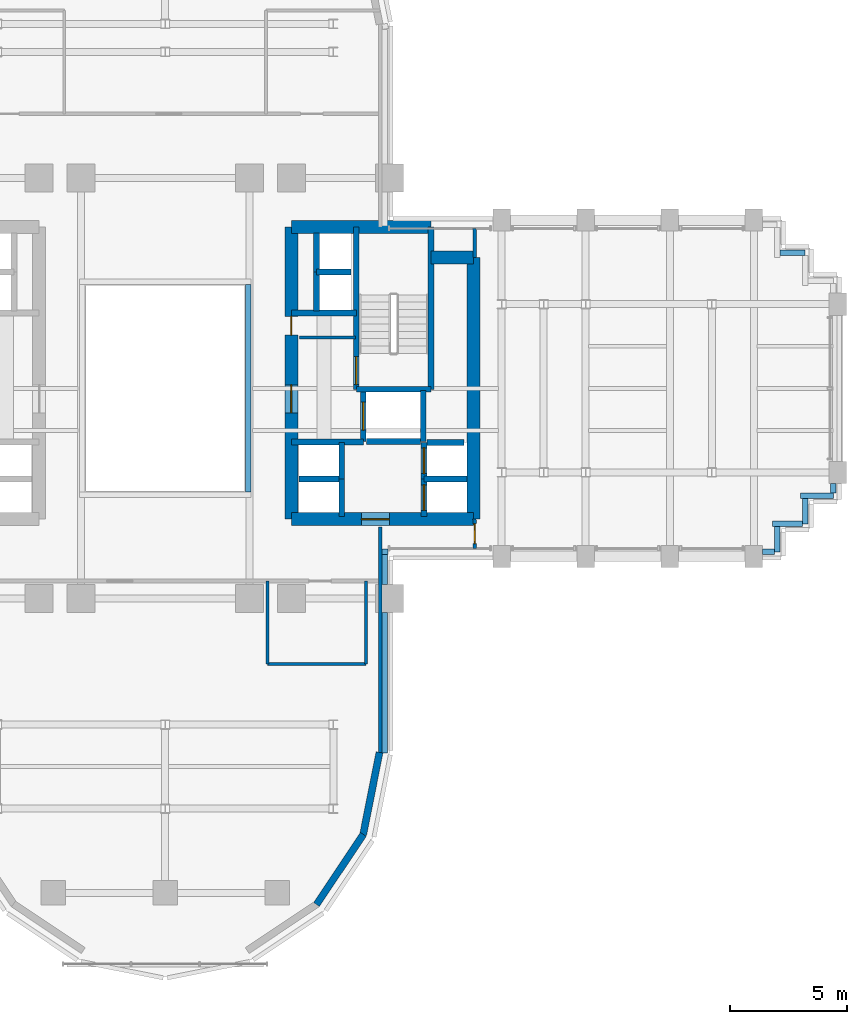
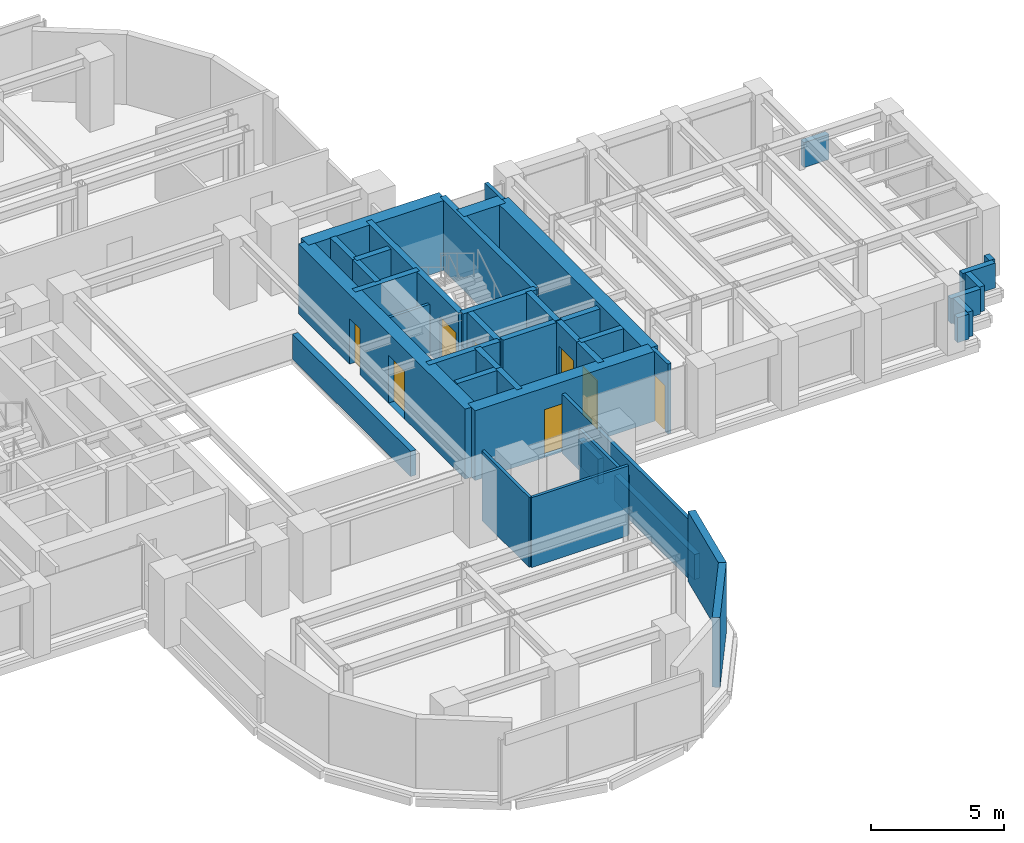
# One storey, part 11 of 16: 43 walls, 8 doors, 8 openings.
"""IFC4 building model written with IfcOpenShell, lengths in metres."""

from ifc_helpers import new_model, si_unit, direction, frame, frame_2d, origin, place, context, subcontext, project, spatial, rectangle, extrude, source, transform, mapped, material, layer, layer_set, type_object, element, fill, save


model = new_model("IFC4")

# Units and contexts
model_context = context("Model", 3, precision=1e-05, world=origin(), true_north=direction((0.0, 1.0)))
body_context = subcontext(model_context, "Body", "Model", "MODEL_VIEW")
ifc_project = project(units=[si_unit("LENGTHUNIT", "METRE"), si_unit("AREAUNIT", "SQUARE_METRE"), si_unit("VOLUMEUNIT", "CUBIC_METRE"), si_unit("PLANEANGLEUNIT", "RADIAN"), si_unit("MASSUNIT", "GRAM", prefix="KILO")], contexts=[model_context])

# Site, building, storey
site_placement = place(None, origin())
site = spatial("IfcSite", under=ifc_project, at=site_placement, CompositionType="ELEMENT")
building_placement = place(site_placement, origin())
building = spatial("IfcBuilding", under=site, at=building_placement, Name="Keilestroom Media Tower", CompositionType="ELEMENT")
storey_placement = place(building_placement, frame((0.0, 0.0, 68.0)))
storey = spatial("IfcBuildingStorey", under=building, at=storey_placement, Name="L17", CompositionType="ELEMENT", Elevation=68.0)

# Walls
ifc_material_1 = material(Name="Precast concrete C40/50", Category="concrete")
ifc_layer_1 = layer(ifc_material_1, 0.300048828125)
ifc_layer_set_1 = layer_set([ifc_layer_1], Name="Precast concrete C40/50")
wall_type_1 = type_object("IfcWallType", Name="Exterior-Masonry-Spandrel-Wall-300", PredefinedType="SOLIDWALL", material=ifc_layer_set_1)
for number, where, z_axis, x_axis, name in (
    (1, (6.47705078125, -22.097900390625, 0.0), (0.0, 0.0, 1.0), (0.555574187116, 0.831466970246, 0.0), "L17 Lobe Facet Precast Frame Wall 11"),
    (2, (8.470703125, -19.12451171875, 0.0), (0.0, 0.0, 1.0), (0.195114232679, 0.980780523974, 0.0), "L17 Lobe Facet Precast Frame Wall 12"),
):
    element("IfcWall", number, at=place(storey_placement, frame(where, z_axis=z_axis, x_axis=x_axis)), inside=storey, type_object=wall_type_1, Name=name, PredefinedType="SOLIDWALL", context=body_context, shape_type="SweptSolid", body=[
        extrude(rectangle(XDim=3.608642578125, YDim=0.300048828125, at=frame_2d((1.80419921875, 0.0))), origin(), (0.0, 0.0, 1.0), 3.199951171875),
    ])
ifc_material_2 = material(Name="Gypsum Plasterboard & Steel Stud", Category="steel")
ifc_layer_2 = layer(ifc_material_2, 0.1201171875)
ifc_layer_set_2 = layer_set([ifc_layer_2], Name="Gypsum Plasterboard & Steel Stud")
wall_type_2 = type_object("IfcWallType", Name="Interior-Partition-Wall-120", PredefinedType="PARTITIONING", material=ifc_layer_set_2)
wall_1_placement = place(storey_placement, frame((5.75, 2.179931640625, 0.0), z_axis=(0.0, 0.0, 1.0), x_axis=(1.0, 0.0, 0.0)))
element("IfcWall", 3, at=wall_1_placement, inside=storey, type_object=wall_type_2, Name="L17 Interior Wall WP-L17-CIE-S", PredefinedType="PARTITIONING", context=body_context, shape_type="SweptSolid", body=[
    extrude(rectangle(XDim=2.389892578125, YDim=0.1201171875, at=frame_2d((1.19482421875, 0.0))), origin(), (0.0, 0.0, 1.0), 2.300048828125),
])
wall_2_placement = place(storey_placement, frame((4.3798828125, -11.800048828125, 0.0), z_axis=(0.0, 0.0, 1.0), x_axis=(1.0, 0.0, 0.0)))
element("IfcWall", 4, at=wall_2_placement, inside=storey, type_object=wall_type_2, Name="L17 Interior Wall WP-L17-SL-WC-S", PredefinedType="PARTITIONING", context=body_context, shape_type="SweptSolid", body=[
    extrude(rectangle(XDim=4.22021484375, YDim=0.1201171875, at=frame_2d((2.110107421875, 0.0))), origin(), (0.0, 0.0, 1.0), 3.199951171875),
])
wall_3_placement = place(storey_placement, frame((4.3798828125, -11.800048828125, 0.0), z_axis=(0.0, 0.0, 1.0), x_axis=(0.0, 1.0, 0.0)))
element("IfcWall", 5, at=wall_3_placement, inside=storey, type_object=wall_type_2, Name="L17 Interior Wall WP-L17-SL-WC-W", PredefinedType="PARTITIONING", context=body_context, shape_type="SweptSolid", body=[
    extrude(rectangle(XDim=3.550048828125, YDim=0.1201171875, at=frame_2d((1.77490234375, 0.0))), origin(), (0.0, 0.0, 1.0), 3.199951171875),
])
wall_4_placement = place(storey_placement, frame((8.60009765625, -11.800048828125, 0.0), z_axis=(0.0, 0.0, 1.0), x_axis=(0.0, 1.0, 0.0)))
element("IfcWall", 6, at=wall_4_placement, inside=storey, type_object=wall_type_2, Name="L17 Interior Wall WP-L17-SL-WC-E", PredefinedType="PARTITIONING", context=body_context, shape_type="SweptSolid", body=[
    extrude(rectangle(XDim=3.550048828125, YDim=0.1201171875, at=frame_2d((1.77490234375, 0.0))), origin(), (0.0, 0.0, 1.0), 2.7099609375),
])
ifc_layer_3 = layer(ifc_material_2, 0.14990234375)
ifc_layer_set_3 = layer_set([ifc_layer_3], Name="Gypsum Plasterboard & Steel Stud")
wall_type_3 = type_object("IfcWallType", Name="Interior-Partition-Wall-150", PredefinedType="PARTITIONING", material=ifc_layer_set_3)
wall_5_placement = place(storey_placement, frame((9.199951171875, -15.679931640625, 0.0), z_axis=(0.0, 0.0, 1.0), x_axis=(0.0, 1.0, 0.0)))
element("IfcWall", 7, at=wall_5_placement, inside=storey, type_object=wall_type_3, Name="L17 Interior Wall WP-L17-SL-CHKE", PredefinedType="PARTITIONING", context=body_context, shape_type="SweptSolid", body=[
    extrude(rectangle(XDim=9.739990234375, YDim=0.14990234375, at=frame_2d((4.8701171875, 0.0))), origin(), (0.0, 0.0, 1.0), 2.7099609375),
])
wall_6_placement = place(storey_placement, frame((13.260009765625, 5.60009765625, 0.0), z_axis=(0.0, 0.0, 1.0), x_axis=(-0.016013571389, 0.999871774545, 0.0)))
element("IfcWall", 8, at=wall_6_placement, inside=storey, type_object=wall_type_3, Name="L17 Interior Wall WP-L17-EA-ENTN", PredefinedType="PARTITIONING", context=body_context, shape_type="SweptSolid", body=[
    extrude(rectangle(XDim=1.250244140625, YDim=0.14990234375, at=frame_2d((0.625, 0.0))), origin(), (0.0, 0.0, 1.0), 3.199951171875),
])

# Wall, opening, door
wall_7_placement = place(storey_placement, frame((13.260009765625, -6.85009765625, 0.0), z_axis=(0.0, 0.0, 1.0), x_axis=(-0.016013571389, 0.999871774545, 0.0)))
wall_7 = element("IfcWall", 9, at=wall_7_placement, inside=storey, type_object=wall_type_3, Name="L17 Interior Wall WP-L17-EA-ENTS", PredefinedType="PARTITIONING", context=body_context, shape_type="SweptSolid", body=[
    extrude(rectangle(XDim=1.250244140625, YDim=0.14990234375, at=frame_2d((0.625, 0.0))), origin(), (0.0, 0.0, 1.0), 3.199951171875),
])
opening_1_placement = place(wall_7_placement, frame((0.199951171875, 0.0, 0.0)))
opening_1 = element("IfcOpeningElement", 10, at=opening_1_placement, cuts=wall_7, Name="Opening DI-05", PredefinedType="OPENING", context=body_context, shape_type="SweptSolid", body=[
    extrude(rectangle(XDim=0.85009765625, YDim=2.10009765625, at=frame_2d((0.425048828125, 1.050048828125))), frame((0.0, 0.0849609375, 0.0), z_axis=(0.0, -1.0, 0.0), x_axis=(1.0, 0.0, 0.0)), (0.0, 0.0, 1.0), 0.169921875),
])
ifc_material_3 = material(Name="Moisture-Resistant Oak Leaf", Category="wood")
door_type_1 = type_object("IfcDoorType", Name="Interior-En-Suite-And-Cupboard-Door-DI-05", OperationType="NOTDEFINED", PredefinedType="DOOR", material=ifc_material_3)
shared_shape_1 = source(origin(), body_context, "Body", "SweptSolid", [
    extrude(rectangle(XDim=0.85009765625, YDim=2.10009765625, at=frame_2d((0.425048828125, 1.050048828125))), frame((0.0, 0.02490234375, 0.0), z_axis=(0.0, -1.0, 0.0), x_axis=(1.0, 0.0, 0.0)), (0.0, 0.0, 1.0), 0.050048828125),
])
door_1_placement = place(opening_1_placement, origin())
door_1 = element("IfcDoor", 11, at=door_1_placement, inside=storey, type_object=door_type_1, Name="L17 Interior Door DI-L17-DEA-S", OperationType="SINGLE_SWING_RIGHT", OverallHeight=2.10009765625, OverallWidth=0.85009765625, PredefinedType="DOOR", context=body_context, shape_type="MappedRepresentation", body=[
    mapped(shared_shape_1, transform((0.0, 0.0, 0.0), x_axis=(1.0, 0.0, 0.0), y_axis=(0.0, 1.0, 0.0), z_axis=(0.0, 0.0, 1.0), scale=1.0)),
])
fill(opening_1, door_1)

# Wall
ifc_material_4 = material(Name="Concrete C70/85", Category="concrete")
ifc_layer_4 = layer(ifc_material_4, 0.550048828125)
ifc_layer_set_4 = layer_set([ifc_layer_4], Name="Concrete C70/85")
wall_type_4 = type_object("IfcWallType", Name="Reinforced-Concrete-Core-Shear-Wall-550", PredefinedType="SHEAR", material=ifc_layer_set_4)
wall_8_placement = place(storey_placement, frame((13.199951171875, -5.60009765625, 0.0), z_axis=(0.0, 0.0, 1.0), x_axis=(0.0, 1.0, 0.0)))
element("IfcWall", 12, at=wall_8_placement, inside=storey, type_object=wall_type_4, Name="L17 Core Shear Wall WL-L17-CORE-E-OUT", PredefinedType="SHEAR", context=body_context, shape_type="SweptSolid", body=[
    extrude(rectangle(XDim=11.2001953125, YDim=0.550048828125, at=frame_2d((5.60009765625, 0.0))), origin(), (0.0, 0.0, 1.0), 3.199951171875),
])

# Wall, openings, doors
wall_9_placement = place(storey_placement, frame((5.39990234375, -5.60009765625, 0.0), z_axis=(0.0, 0.0, 1.0), x_axis=(0.0, 1.0, 0.0)))
wall_9 = element("IfcWall", 13, at=wall_9_placement, inside=storey, type_object=wall_type_4, Name="L17 Core Shear Wall WL-L17-CORE-E-IN", PredefinedType="SHEAR", context=body_context, shape_type="SweptSolid", body=[
    extrude(rectangle(XDim=12.5, YDim=0.550048828125, at=frame_2d((6.25, 0.0))), origin(), (0.0, 0.0, 1.0), 3.199951171875),
])
opening_2_placement = place(wall_9_placement, frame((4.550048828125, 0.0, 0.0)))
opening_2 = element("IfcOpeningElement", 14, at=opening_2_placement, cuts=wall_9, Name="Opening DI-02", PredefinedType="OPENING", context=body_context, shape_type="SweptSolid", body=[
    extrude(rectangle(XDim=1.199951171875, YDim=2.199951171875, at=frame_2d((0.60009765625, 1.10009765625))), frame((0.0, 0.28515625, 0.0), z_axis=(0.0, -1.0, 0.0), x_axis=(1.0, 0.0, 0.0)), (0.0, 0.0, 1.0), 0.570068359375),
])
opening_3_placement = place(wall_9_placement, frame((7.8798828125, 0.0, 0.0)))
opening_3 = element("IfcOpeningElement", 15, at=opening_3_placement, cuts=wall_9, Name="Opening DI-06", PredefinedType="OPENING", context=body_context, shape_type="SweptSolid", body=[
    extrude(rectangle(XDim=0.800048828125, YDim=2.10009765625, at=frame_2d((0.39990234375, 1.050048828125))), frame((0.0, 0.28515625, 0.0), z_axis=(0.0, -1.0, 0.0), x_axis=(1.0, 0.0, 0.0)), (0.0, 0.0, 1.0), 0.570068359375),
])
ifc_material_5 = material(Name="Powder-Coated Steel Fire Leaf", Category="steel")
door_type_2 = type_object("IfcDoorType", Name="Interior-Compartment-Fire-Door-DI-02", OperationType="NOTDEFINED", PredefinedType="DOOR", material=ifc_material_5)
shared_shape_2 = source(origin(), body_context, "Body", "SweptSolid", [
    extrude(rectangle(XDim=1.199951171875, YDim=2.199951171875, at=frame_2d((0.60009765625, 1.10009765625))), frame((0.0, 0.02490234375, 0.0), z_axis=(0.0, -1.0, 0.0), x_axis=(1.0, 0.0, 0.0)), (0.0, 0.0, 1.0), 0.050048828125),
])
door_2_placement = place(opening_2_placement, origin())
door_2 = element("IfcDoor", 16, at=door_2_placement, inside=storey, type_object=door_type_2, Name="L17 E Firefighting Lobby Door", OperationType="SINGLE_SWING_LEFT", OverallHeight=2.199951171875, OverallWidth=1.199951171875, PredefinedType="DOOR", context=body_context, shape_type="MappedRepresentation", body=[
    mapped(shared_shape_2, transform((0.0, 0.0, 0.0), x_axis=(1.0, 0.0, 0.0), y_axis=(0.0, 1.0, 0.0), z_axis=(0.0, 0.0, 1.0), scale=1.0)),
])
fill(opening_2, door_2)
ifc_material_6 = material(Name="Powder-Coated Steel Service Leaf", Category="steel")
door_type_3 = type_object("IfcDoorType", Name="Interior-Riser-Access-Door-DI-06", OperationType="NOTDEFINED", PredefinedType="DOOR", material=ifc_material_6)
shared_shape_3 = source(origin(), body_context, "Body", "SweptSolid", [
    extrude(rectangle(XDim=0.800048828125, YDim=2.10009765625, at=frame_2d((0.39990234375, 1.050048828125))), frame((0.0, 0.02490234375, 0.0), z_axis=(0.0, -1.0, 0.0), x_axis=(1.0, 0.0, 0.0)), (0.0, 0.0, 1.0), 0.050048828125),
])
door_3_placement = place(opening_3_placement, origin())
door_3 = element("IfcDoor", 17, at=door_3_placement, inside=storey, type_object=door_type_3, Name="L17 East Core Closet Door", OperationType="SINGLE_SWING_RIGHT", OverallHeight=2.10009765625, OverallWidth=0.800048828125, PredefinedType="DOOR", context=body_context, shape_type="MappedRepresentation", body=[
    mapped(shared_shape_3, transform((0.0, 0.0, 0.0), x_axis=(1.0, 0.0, 0.0), y_axis=(0.0, 1.0, 0.0), z_axis=(0.0, 0.0, 1.0), scale=1.0)),
])
fill(opening_3, door_3)

# Walls
wall_10_placement = place(storey_placement, frame((5.39990234375, 6.89990234375, 0.0), z_axis=(0.0, 0.0, 1.0), x_axis=(1.0, 0.0, 0.0)))
element("IfcWall", 18, at=wall_10_placement, inside=storey, type_object=wall_type_4, Name="L17 Core Shear Wall WL-L17-CORE-E-N", PredefinedType="SHEAR", context=body_context, shape_type="SweptSolid", body=[
    extrude(rectangle(XDim=5.981201171875, YDim=0.550048828125, at=frame_2d((2.99072265625, 0.0))), origin(), (0.0, 0.0, 1.0), 3.199951171875),
])
wall_11_placement = place(storey_placement, frame((11.381103515625, 5.60009765625, 0.0), z_axis=(0.0, 0.0, 1.0), x_axis=(1.0, 0.0, 0.0)))
element("IfcWall", 19, at=wall_11_placement, inside=storey, type_object=wall_type_4, Name="L17 Core Shear Wall WL-L17-CNE-N", PredefinedType="SHEAR", context=body_context, shape_type="SweptSolid", body=[
    extrude(rectangle(XDim=1.81884765625, YDim=0.550048828125, at=frame_2d((0.909423828125, 0.0))), origin(), (0.0, 0.0, 1.0), 3.199951171875),
])

# Wall, opening, door
wall_12_placement = place(storey_placement, frame((5.39990234375, -5.60009765625, 0.0), z_axis=(0.0, 0.0, 1.0), x_axis=(1.0, 0.0, 0.0)))
wall_12 = element("IfcWall", 20, at=wall_12_placement, inside=storey, type_object=wall_type_4, Name="L17 Core Shear Wall WL-L17-CORE-E-S", PredefinedType="SHEAR", context=body_context, shape_type="SweptSolid", body=[
    extrude(rectangle(XDim=7.800048828125, YDim=0.550048828125, at=frame_2d((3.89990234375, 0.0))), origin(), (0.0, 0.0, 1.0), 3.199951171875),
])
opening_4_placement = place(wall_12_placement, frame((3.0, 0.0, 0.0)))
opening_4 = element("IfcOpeningElement", 21, at=opening_4_placement, cuts=wall_12, Name="Opening DI-02", PredefinedType="OPENING", context=body_context, shape_type="SweptSolid", body=[
    extrude(rectangle(XDim=1.199951171875, YDim=2.199951171875, at=frame_2d((0.60009765625, 1.10009765625))), frame((0.0, 0.28515625, 0.0), z_axis=(0.0, -1.0, 0.0), x_axis=(1.0, 0.0, 0.0)), (0.0, 0.0, 1.0), 0.570068359375),
])
door_4_placement = place(opening_4_placement, origin())
door_4 = element("IfcDoor", 22, at=door_4_placement, inside=storey, type_object=door_type_2, Name="L17 E Passenger Lift Lobby Door", OperationType="SINGLE_SWING_RIGHT", OverallHeight=2.199951171875, OverallWidth=1.199951171875, PredefinedType="DOOR", context=body_context, shape_type="MappedRepresentation", body=[
    mapped(shared_shape_2, transform((0.0, 0.0, 0.0), x_axis=(1.0, 0.0, 0.0), y_axis=(0.0, 1.0, 0.0), z_axis=(0.0, 0.0, 1.0), scale=1.0)),
])
fill(opening_4, door_4)

# Walls
ifc_material_7 = material(Name="Concrete C50/60", Category="concrete")
ifc_layer_5 = layer(ifc_material_7, 0.25)
ifc_layer_set_5 = layer_set([ifc_layer_5], Name="Concrete C50/60")
wall_type_5 = type_object("IfcWallType", Name="Reinforced-Concrete-Shaft-Wall-250", PredefinedType="SOLIDWALL", material=ifc_layer_set_5)
wall_13_placement = place(storey_placement, frame((5.39990234375, 3.219970703125, 0.0), z_axis=(0.0, 0.0, 1.0), x_axis=(1.0, 0.0, 0.0)))
element("IfcWall", 23, at=wall_13_placement, inside=storey, type_object=wall_type_5, Name="L17 Core Shear Wall WL-L17-CORE-E-FFN", PredefinedType="SOLIDWALL", context=body_context, shape_type="SweptSolid", body=[
    extrude(rectangle(XDim=2.780029296875, YDim=0.25, at=frame_2d((1.39013671875, 0.0))), origin(), (0.0, 0.0, 1.0), 3.199951171875),
])
wall_14_placement = place(storey_placement, frame((5.39990234375, -2.300048828125, 0.0), z_axis=(0.0, 0.0, 1.0), x_axis=(1.0, 0.0, 0.0)))
element("IfcWall", 24, at=wall_14_placement, inside=storey, type_object=wall_type_5, Name="L17 Core Shear Wall WL-L17-CORE-E-FFS", PredefinedType="SOLIDWALL", context=body_context, shape_type="SweptSolid", body=[
    extrude(rectangle(XDim=3.080078125, YDim=0.25, at=frame_2d((1.5400390625, 0.0))), origin(), (0.0, 0.0, 1.0), 3.199951171875),
])

# Wall, opening, door
wall_15_placement = place(storey_placement, frame((8.178955078125, -0.041015625, 0.0), z_axis=(0.0, 0.0, 1.0), x_axis=(0.0, 1.0, 0.0)))
wall_15 = element("IfcWall", 25, at=wall_15_placement, inside=storey, type_object=wall_type_5, Name="L17 Core Shear Wall WL-L17-STW-E-NEAR", PredefinedType="SOLIDWALL", context=body_context, shape_type="SweptSolid", body=[
    extrude(rectangle(XDim=6.94091796875, YDim=0.25, at=frame_2d((3.470458984375, 0.0))), origin(), (0.0, 0.0, 1.0), 3.199951171875),
])
opening_5_placement = place(wall_15_placement, frame((0.199951171875, 0.0, 0.0)))
opening_5 = element("IfcOpeningElement", 26, at=opening_5_placement, cuts=wall_15, Name="Opening DI-01S", PredefinedType="OPENING", context=body_context, shape_type="SweptSolid", body=[
    extrude(rectangle(XDim=1.199951171875, YDim=2.199951171875, at=frame_2d((0.60009765625, 1.10009765625))), frame((0.0, 0.135009765625, 0.0), z_axis=(0.0, -1.0, 0.0), x_axis=(1.0, 0.0, 0.0)), (0.0, 0.0, 1.0), 0.27001953125),
])
door_type_4 = type_object("IfcDoorType", Name="Interior-Stair-And-Core-Fire-Door-DI-01", OperationType="NOTDEFINED", PredefinedType="DOOR", material=ifc_material_5)
door_5_placement = place(opening_5_placement, origin())
door_5 = element("IfcDoor", 27, at=door_5_placement, inside=storey, type_object=door_type_4, Name="L17 Escape Stair ST-2 Fire Door", OperationType="SINGLE_SWING_RIGHT", OverallHeight=2.199951171875, OverallWidth=1.199951171875, PredefinedType="DOOR", context=body_context, shape_type="MappedRepresentation", body=[
    mapped(shared_shape_2, transform((0.0, 0.0, 0.0), x_axis=(1.0, 0.0, 0.0), y_axis=(0.0, 1.0, 0.0), z_axis=(0.0, 0.0, 1.0), scale=1.0)),
])
fill(opening_5, door_5)

# Walls
wall_16_placement = place(storey_placement, frame((11.381103515625, -0.041015625, 0.0), z_axis=(0.0, 0.0, 1.0), x_axis=(0.0, 1.0, 0.0)))
element("IfcWall", 28, at=wall_16_placement, inside=storey, type_object=wall_type_5, Name="L17 Core Shear Wall WL-L17-STW-E-FAR", PredefinedType="SOLIDWALL", context=body_context, shape_type="SweptSolid", body=[
    extrude(rectangle(XDim=6.94091796875, YDim=0.25, at=frame_2d((3.470458984375, 0.0))), origin(), (0.0, 0.0, 1.0), 3.199951171875),
])
wall_17_placement = place(storey_placement, frame((8.178955078125, -0.041015625, 0.0), z_axis=(0.0, 0.0, 1.0), x_axis=(1.0, 0.0, 0.0)))
element("IfcWall", 29, at=wall_17_placement, inside=storey, type_object=wall_type_5, Name="L17 Core Shear Wall WL-L17-STW-E-S", PredefinedType="SOLIDWALL", context=body_context, shape_type="SweptSolid", body=[
    extrude(rectangle(XDim=3.2021484375, YDim=0.25, at=frame_2d((1.60107421875, 0.0))), origin(), (0.0, 0.0, 1.0), 3.199951171875),
])

# Wall, opening, door
wall_18_placement = place(storey_placement, frame((8.47998046875, -2.280029296875, 0.0), z_axis=(0.0, 0.0, 1.0), x_axis=(0.0, 1.0, 0.0)))
wall_18 = element("IfcWall", 30, at=wall_18_placement, inside=storey, type_object=wall_type_5, Name="L17 Core Shear Wall WL-L17-LSH-FFL-2-W", PredefinedType="SOLIDWALL", context=body_context, shape_type="SweptSolid", body=[
    extrude(rectangle(XDim=2.179931640625, YDim=0.25, at=frame_2d((1.08984375, 0.0))), origin(), (0.0, 0.0, 1.0), 3.199951171875),
])
opening_6_placement = place(wall_18_placement, frame((0.489990234375, 0.0, 0.0)))
opening_6 = element("IfcOpeningElement", 31, at=opening_6_placement, cuts=wall_18, Name="Opening LD-02", PredefinedType="OPENING", context=body_context, shape_type="SweptSolid", body=[
    extrude(rectangle(XDim=1.199951171875, YDim=2.199951171875, at=frame_2d((0.60009765625, 1.10009765625))), frame((0.0, 0.135009765625, 0.0), z_axis=(0.0, -1.0, 0.0), x_axis=(1.0, 0.0, 0.0)), (0.0, 0.0, 1.0), 0.27001953125),
])
ifc_material_8 = material(Name="Brushed Stainless Steel Sliding Leaf", Category="steel")
door_type_5 = type_object("IfcDoorType", Name="Lift-Landing-Sliding-Door-LD-02", OperationType="SLIDING_TO_RIGHT", PredefinedType="DOOR", material=ifc_material_8)
door_6_placement = place(opening_6_placement, origin())
door_6 = element("IfcDoor", 32, at=door_6_placement, inside=storey, type_object=door_type_5, Name="L17 Lift FFL-2 Landing Sliding Door", OperationType="SLIDING_TO_RIGHT", OverallHeight=2.199951171875, OverallWidth=1.199951171875, PredefinedType="DOOR", context=body_context, shape_type="MappedRepresentation", body=[
    mapped(shared_shape_2, transform((0.0, 0.0, 0.0), x_axis=(1.0, 0.0, 0.0), y_axis=(0.0, 1.0, 0.0), z_axis=(0.0, 0.0, 1.0), scale=1.0)),
])
fill(opening_6, door_6)

# Walls
wall_19_placement = place(storey_placement, frame((11.050048828125, -2.280029296875, 0.0), z_axis=(0.0, 0.0, 1.0), x_axis=(0.0, 1.0, 0.0)))
element("IfcWall", 33, at=wall_19_placement, inside=storey, type_object=wall_type_5, Name="L17 Core Shear Wall WL-L17-LSH-FFL-2-E", PredefinedType="SOLIDWALL", context=body_context, shape_type="SweptSolid", body=[
    extrude(rectangle(XDim=2.179931640625, YDim=0.25, at=frame_2d((1.08984375, 0.0))), origin(), (0.0, 0.0, 1.0), 3.199951171875),
])
wall_20_placement = place(storey_placement, frame((8.60888671875, -2.280029296875, 0.0), z_axis=(0.0, 0.0, 1.0), x_axis=(1.0, 0.0, 0.0)))
element("IfcWall", 34, at=wall_20_placement, inside=storey, type_object=wall_type_5, Name="L17 Core Shear Wall WL-L17-LSH-FFL-2-S", PredefinedType="SOLIDWALL", context=body_context, shape_type="SweptSolid", body=[
    extrude(rectangle(XDim=2.31201171875, YDim=0.25, at=frame_2d((1.156005859375, 0.0))), origin(), (0.0, 0.0, 1.0), 3.199951171875),
])

# Wall, opening, door
wall_21_placement = place(storey_placement, frame((11.080078125, -5.47998046875, 0.0), z_axis=(0.0, 0.0, 1.0), x_axis=(0.0, 1.0, 0.0)))
wall_21 = element("IfcWall", 35, at=wall_21_placement, inside=storey, type_object=wall_type_5, Name="L17 Core Shear Wall WL-L17-LSH-PL-L3-W", PredefinedType="SOLIDWALL", context=body_context, shape_type="SweptSolid", body=[
    extrude(rectangle(XDim=1.60009765625, YDim=0.25, at=frame_2d((0.800048828125, 0.0))), origin(), (0.0, 0.0, 1.0), 3.199951171875),
])
opening_7_placement = place(wall_21_placement, frame((0.25, 0.0, 0.0)))
opening_7 = element("IfcOpeningElement", 36, at=opening_7_placement, cuts=wall_21, Name="Opening LD-01", PredefinedType="OPENING", context=body_context, shape_type="SweptSolid", body=[
    extrude(rectangle(XDim=1.10009765625, YDim=2.199951171875, at=frame_2d((0.550048828125, 1.10009765625))), frame((0.0, 0.135009765625, 0.0), z_axis=(0.0, -1.0, 0.0), x_axis=(1.0, 0.0, 0.0)), (0.0, 0.0, 1.0), 0.27001953125),
])
door_type_6 = type_object("IfcDoorType", Name="Lift-Landing-Sliding-Door-LD-01", OperationType="SLIDING_TO_LEFT", PredefinedType="DOOR", material=ifc_material_8)
shared_shape_4 = source(origin(), body_context, "Body", "SweptSolid", [
    extrude(rectangle(XDim=1.10009765625, YDim=2.199951171875, at=frame_2d((0.550048828125, 1.10009765625))), frame((0.0, 0.02490234375, 0.0), z_axis=(0.0, -1.0, 0.0), x_axis=(1.0, 0.0, 0.0)), (0.0, 0.0, 1.0), 0.050048828125),
])
door_7_placement = place(opening_7_placement, origin())
door_7 = element("IfcDoor", 37, at=door_7_placement, inside=storey, type_object=door_type_6, Name="L17 Lift PL-L3 Landing Sliding Door", OperationType="SLIDING_TO_LEFT", OverallHeight=2.199951171875, OverallWidth=1.10009765625, PredefinedType="DOOR", context=body_context, shape_type="MappedRepresentation", body=[
    mapped(shared_shape_4, transform((0.0, 0.0, 0.0), x_axis=(1.0, 0.0, 0.0), y_axis=(0.0, 1.0, 0.0), z_axis=(0.0, 0.0, 1.0), scale=1.0)),
])
fill(opening_7, door_7)

# Wall
wall_22_placement = place(storey_placement, frame((11.080078125, -3.8798828125, 0.0), z_axis=(0.0, 0.0, 1.0), x_axis=(1.0, 0.0, 0.0)))
element("IfcWall", 38, at=wall_22_placement, inside=storey, type_object=wall_type_5, Name="L17 Core Shear Wall WL-L17-LSH-PL-L3-N", PredefinedType="SOLIDWALL", context=body_context, shape_type="SweptSolid", body=[
    extrude(rectangle(XDim=1.83984375, YDim=0.25, at=frame_2d((0.919921875, 0.0))), origin(), (0.0, 0.0, 1.0), 3.199951171875),
])

# Wall, opening, door
wall_23_placement = place(storey_placement, frame((11.080078125, -3.8798828125, 0.0), z_axis=(0.0, 0.0, 1.0), x_axis=(0.0, 1.0, 0.0)))
wall_23 = element("IfcWall", 39, at=wall_23_placement, inside=storey, type_object=wall_type_5, Name="L17 Core Shear Wall WL-L17-LSH-PL-L4-W", PredefinedType="SOLIDWALL", context=body_context, shape_type="SweptSolid", body=[
    extrude(rectangle(XDim=1.559814453125, YDim=0.25, at=frame_2d((0.77978515625, 0.0))), origin(), (0.0, 0.0, 1.0), 3.199951171875),
])
opening_8_placement = place(wall_23_placement, frame((0.22998046875, 0.0, 0.0)))
opening_8 = element("IfcOpeningElement", 40, at=opening_8_placement, cuts=wall_23, Name="Opening LD-01", PredefinedType="OPENING", context=body_context, shape_type="SweptSolid", body=[
    extrude(rectangle(XDim=1.10009765625, YDim=2.199951171875, at=frame_2d((0.550048828125, 1.10009765625))), frame((0.0, 0.135009765625, 0.0), z_axis=(0.0, -1.0, 0.0), x_axis=(1.0, 0.0, 0.0)), (0.0, 0.0, 1.0), 0.27001953125),
])
door_8_placement = place(opening_8_placement, origin())
door_8 = element("IfcDoor", 41, at=door_8_placement, inside=storey, type_object=door_type_6, Name="L17 Lift PL-L4 Landing Sliding Door", OperationType="SLIDING_TO_LEFT", OverallHeight=2.199951171875, OverallWidth=1.10009765625, PredefinedType="DOOR", context=body_context, shape_type="MappedRepresentation", body=[
    mapped(shared_shape_4, transform((0.0, 0.0, 0.0), x_axis=(1.0, 0.0, 0.0), y_axis=(0.0, 1.0, 0.0), z_axis=(0.0, 0.0, 1.0), scale=1.0)),
])
fill(opening_8, door_8)

# Walls
wall_24_placement = place(storey_placement, frame((11.208984375, -2.320068359375, 0.0), z_axis=(0.0, 0.0, 1.0), x_axis=(1.0, 0.0, 0.0)))
element("IfcWall", 42, at=wall_24_placement, inside=storey, type_object=wall_type_5, Name="L17 Core Shear Wall WL-L17-LSH-PL-L4-N", PredefinedType="SOLIDWALL", context=body_context, shape_type="SweptSolid", body=[
    extrude(rectangle(XDim=1.58203125, YDim=0.25, at=frame_2d((0.791015625, 0.0))), origin(), (0.0, 0.0, 1.0), 3.199951171875),
])
wall_25_placement = place(storey_placement, frame((7.56005859375, -5.47998046875, 0.0), z_axis=(0.0, 0.0, 1.0), x_axis=(0.0, 1.0, 0.0)))
element("IfcWall", 43, at=wall_25_placement, inside=storey, type_object=wall_type_5, Name="L17 Core Shear Wall WL-L17-LSH-PL-M3-E", PredefinedType="SOLIDWALL", context=body_context, shape_type="SweptSolid", body=[
    extrude(rectangle(XDim=1.60009765625, YDim=0.25, at=frame_2d((0.800048828125, 0.0))), origin(), (0.0, 0.0, 1.0), 3.199951171875),
])
wall_26_placement = place(storey_placement, frame((5.719970703125, -3.8798828125, 0.0), z_axis=(0.0, 0.0, 1.0), x_axis=(1.0, 0.0, 0.0)))
element("IfcWall", 44, at=wall_26_placement, inside=storey, type_object=wall_type_5, Name="L17 Core Shear Wall WL-L17-LSH-PL-M3-N", PredefinedType="SOLIDWALL", context=body_context, shape_type="SweptSolid", body=[
    extrude(rectangle(XDim=1.840087890625, YDim=0.25, at=frame_2d((0.919921875, 0.0))), origin(), (0.0, 0.0, 1.0), 3.199951171875),
])
wall_27_placement = place(storey_placement, frame((7.56005859375, -3.8798828125, 0.0), z_axis=(0.0, 0.0, 1.0), x_axis=(0.0, 1.0, 0.0)))
element("IfcWall", 45, at=wall_27_placement, inside=storey, type_object=wall_type_5, Name="L17 Core Shear Wall WL-L17-LSH-PL-M4-E", PredefinedType="SOLIDWALL", context=body_context, shape_type="SweptSolid", body=[
    extrude(rectangle(XDim=1.559814453125, YDim=0.25, at=frame_2d((0.77978515625, 0.0))), origin(), (0.0, 0.0, 1.0), 3.199951171875),
])
wall_28_placement = place(storey_placement, frame((6.47998046875, 3.300048828125, 0.0), z_axis=(0.0, 0.0, 1.0), x_axis=(0.0, 1.0, 0.0)))
element("IfcWall", 46, at=wall_28_placement, inside=storey, type_object=wall_type_5, Name="L17 Core Shear Wall WL-L17-LSH-PL-H3-W", PredefinedType="SOLIDWALL", context=body_context, shape_type="SweptSolid", body=[
    extrude(rectangle(XDim=1.679931640625, YDim=0.25, at=frame_2d((0.83984375, 0.0))), origin(), (0.0, 0.0, 1.0), 3.199951171875),
])
wall_29_placement = place(storey_placement, frame((6.47998046875, 4.97998046875, 0.0), z_axis=(0.0, 0.0, 1.0), x_axis=(1.0, 0.0, 0.0)))
element("IfcWall", 47, at=wall_29_placement, inside=storey, type_object=wall_type_5, Name="L17 Core Shear Wall WL-L17-LSH-PL-H3-N", PredefinedType="SOLIDWALL", context=body_context, shape_type="SweptSolid", body=[
    extrude(rectangle(XDim=1.469970703125, YDim=0.25, at=frame_2d((0.73486328125, 0.0))), origin(), (0.0, 0.0, 1.0), 3.199951171875),
])
wall_30_placement = place(storey_placement, frame((6.47998046875, 4.97998046875, 0.0), z_axis=(0.0, 0.0, 1.0), x_axis=(0.0, 1.0, 0.0)))
element("IfcWall", 48, at=wall_30_placement, inside=storey, type_object=wall_type_5, Name="L17 Core Shear Wall WL-L17-LSH-PL-H4-W", PredefinedType="SOLIDWALL", context=body_context, shape_type="SweptSolid", body=[
    extrude(rectangle(XDim=1.669921875, YDim=0.25, at=frame_2d((0.8349609375, 0.0))), origin(), (0.0, 0.0, 1.0), 3.199951171875),
])
ifc_layer_6 = layer(ifc_material_1, 0.239990234375)
ifc_layer_set_6 = layer_set([ifc_layer_6], Name="Precast concrete C40/50")
wall_type_6 = type_object("IfcWallType", Name="Roof-And-Terrace-Parapet-Wall-240", PredefinedType="PARAPET", material=ifc_layer_set_6)
wall_31_placement = place(storey_placement, frame((28.60009765625, -4.60009765625, 0.0), z_axis=(0.0, 0.0, 1.0), x_axis=(-1.0, 0.0, 0.0)))
element("IfcWall", 49, at=wall_31_placement, inside=storey, type_object=wall_type_6, Name="L17 Perimeter Edge Parapet Wall 01", PredefinedType="PARAPET", context=body_context, shape_type="SweptSolid", body=[
    extrude(rectangle(XDim=1.400146484375, YDim=0.239990234375, at=frame_2d((0.7001953125, 0.0))), origin(), (0.0, 0.0, 1.0), 1.14990234375),
])
wall_32_placement = place(storey_placement, frame((27.39990234375, -4.722900390625, 0.0), z_axis=(0.0, 0.0, 1.0), x_axis=(0.0, -1.0, 0.0)))
element("IfcWall", 50, at=wall_32_placement, inside=storey, type_object=wall_type_6, Name="L17 Perimeter Edge Parapet Wall 02", PredefinedType="PARAPET", context=body_context, shape_type="SweptSolid", body=[
    extrude(rectangle(XDim=1.0771484375, YDim=0.239990234375, at=frame_2d((0.53857421875, 0.0))), origin(), (0.0, 0.0, 1.0), 1.14990234375),
])
wall_33_placement = place(storey_placement, frame((27.277099609375, -5.800048828125, 0.0), z_axis=(0.0, 0.0, 1.0), x_axis=(-1.0, 0.0, 0.0)))
element("IfcWall", 51, at=wall_33_placement, inside=storey, type_object=wall_type_6, Name="L17 Perimeter Edge Parapet Wall 03", PredefinedType="PARAPET", context=body_context, shape_type="SweptSolid", body=[
    extrude(rectangle(XDim=1.277099609375, YDim=0.239990234375, at=frame_2d((0.638671875, 0.0))), origin(), (0.0, 0.0, 1.0), 1.14990234375),
])
wall_34_placement = place(storey_placement, frame((26.199951171875, -5.923095703125, 0.0), z_axis=(0.0, 0.0, 1.0), x_axis=(0.0, -1.0, 0.0)))
element("IfcWall", 52, at=wall_34_placement, inside=storey, type_object=wall_type_6, Name="L17 Perimeter Edge Parapet Wall 04", PredefinedType="PARAPET", context=body_context, shape_type="SweptSolid", body=[
    extrude(rectangle(XDim=1.076904296875, YDim=0.239990234375, at=frame_2d((0.53857421875, 0.0))), origin(), (0.0, 0.0, 1.0), 1.14990234375),
])
wall_35_placement = place(storey_placement, frame((26.076904296875, -7.0, 0.0), z_axis=(0.0, 0.0, 1.0), x_axis=(-1.0, 0.0, 0.0)))
element("IfcWall", 53, at=wall_35_placement, inside=storey, type_object=wall_type_6, Name="L17 Perimeter Edge Parapet Wall 05", PredefinedType="PARAPET", context=body_context, shape_type="SweptSolid", body=[
    extrude(rectangle(XDim=0.4990234375, YDim=0.239990234375, at=frame_2d((0.24951171875, 0.0))), origin(), (0.0, 0.0, 1.0), 1.14990234375),
])
wall_36_placement = place(storey_placement, frame((9.547119140625, -7.0, 0.0), z_axis=(0.0, 0.0, 1.0), x_axis=(-1.0, 0.0, 0.0)))
element("IfcWall", 54, at=wall_36_placement, inside=storey, type_object=wall_type_6, Name="L17 Perimeter Edge Parapet Wall 06", PredefinedType="PARAPET", context=body_context, shape_type="SweptSolid", body=[
    extrude(rectangle(XDim=0.26904296875, YDim=0.239990234375, at=frame_2d((0.134521484375, 0.0))), origin(), (0.0, 0.0, 1.0), 1.14990234375),
])
wall_37_placement = place(storey_placement, frame((9.39990234375, -7.123046875, 0.0), z_axis=(0.0, 0.0, 1.0), x_axis=(0.0, -1.0, 0.0)))
element("IfcWall", 55, at=wall_37_placement, inside=storey, type_object=wall_type_6, Name="L17 Perimeter Edge Parapet Wall 07", PredefinedType="PARAPET", context=body_context, shape_type="SweptSolid", body=[
    extrude(rectangle(XDim=1.27392578125, YDim=0.239990234375, at=frame_2d((0.636962890625, 0.0))), origin(), (0.0, 0.0, 1.0), 1.14990234375),
])
wall_38_placement = place(storey_placement, frame((9.39990234375, -9.60302734375, 0.0), z_axis=(0.0, 0.0, 1.0), x_axis=(0.0, -1.0, 0.0)))
element("IfcWall", 56, at=wall_38_placement, inside=storey, type_object=wall_type_6, Name="L17 Perimeter Edge Parapet Wall 08", PredefinedType="PARAPET", context=body_context, shape_type="SweptSolid", body=[
    extrude(rectangle(XDim=5.999755859375, YDim=0.239990234375, at=frame_2d((3.0, 0.0))), origin(), (0.0, 0.0, 1.0), 1.14990234375),
])
wall_39_placement = place(storey_placement, frame((26.322998046875, 5.800048828125, 0.0), z_axis=(0.0, 0.0, 1.0), x_axis=(1.0, 0.0, 0.0)))
element("IfcWall", 57, at=wall_39_placement, inside=storey, type_object=wall_type_6, Name="L17 Perimeter Edge Parapet Wall 31", PredefinedType="PARAPET", context=body_context, shape_type="SweptSolid", body=[
    extrude(rectangle(XDim=1.076904296875, YDim=0.239990234375, at=frame_2d((0.53857421875, 0.0))), origin(), (0.0, 0.0, 1.0), 1.14990234375),
])
wall_40_placement = place(storey_placement, frame((28.60009765625, -4.077880859375, 0.0), z_axis=(0.0, 0.0, 1.0), x_axis=(0.0, -1.0, 0.0)))
element("IfcWall", 58, at=wall_40_placement, inside=storey, type_object=wall_type_6, Name="L17 Perimeter Edge Parapet Wall 35", PredefinedType="PARAPET", context=body_context, shape_type="SweptSolid", body=[
    extrude(rectangle(XDim=0.399169921875, YDim=0.239990234375, at=frame_2d((0.19970703125, 0.0))), origin(), (0.0, 0.0, 1.0), 1.14990234375),
])
wall_41_placement = place(storey_placement, frame((3.56005859375, -4.43505859375, 0.0), z_axis=(0.0, 0.0, 1.0), x_axis=(0.0, 1.0, 0.0)))
element("IfcWall", 59, at=wall_41_placement, inside=storey, type_object=wall_type_6, Name="L17 Central Atrium Guard Parapet E", PredefinedType="PARAPET", context=body_context, shape_type="SweptSolid", body=[
    extrude(rectangle(XDim=8.8701171875, YDim=0.239990234375, at=frame_2d((4.43505859375, 0.0))), origin(), (0.0, 0.0, 1.0), 1.14990234375),
])

save(model, "model.ifc")
